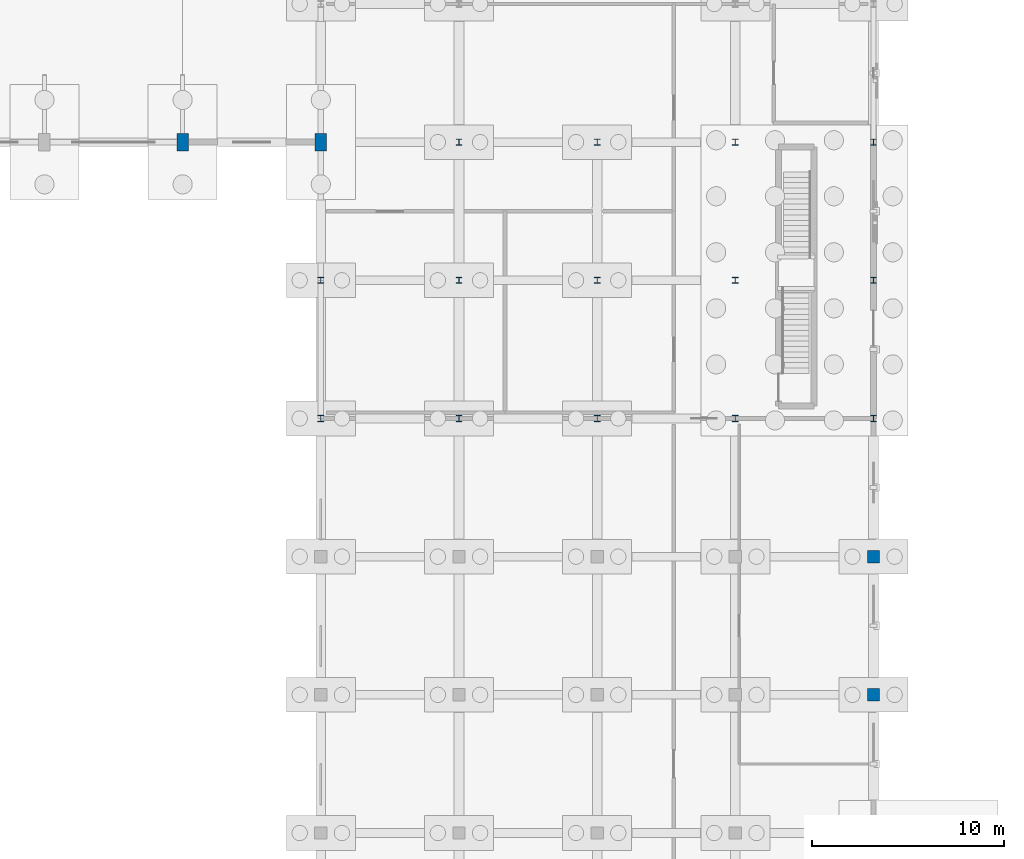
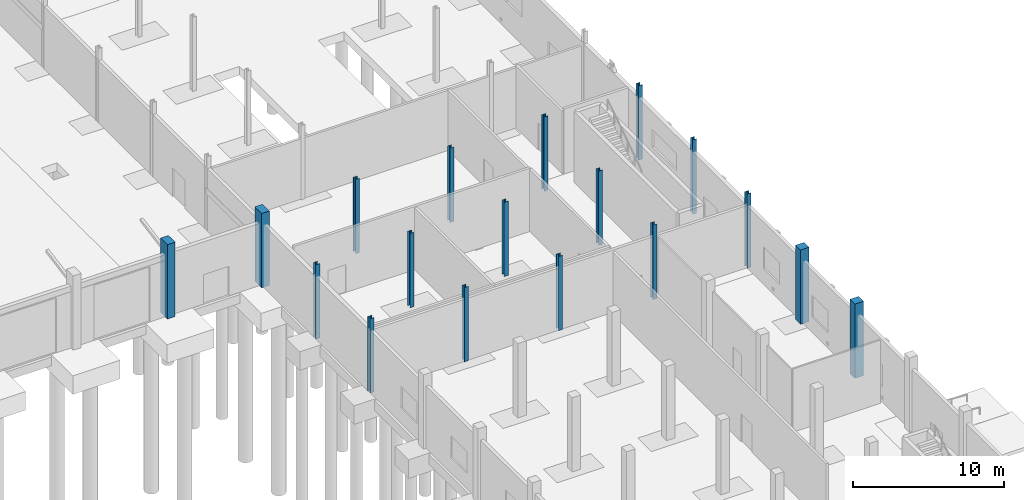
# One storey, part 12 of 45: 18 columns.
"""IFC4 building model written with IfcOpenShell, lengths in metres."""

from ifc_helpers import new_model, si_unit, direction, frame, origin, origin_2d, place, context, subcontext, project, spatial, rectangle, i_section, extrude, material, material_profile, profile_set, type_object, element, save


model = new_model("IFC4")

# Units and contexts
model_context = context("Model", 3, precision=1e-05, world=origin(), true_north=direction((0.0, 1.0)))
body_context = subcontext(model_context, "Body", "Model", "MODEL_VIEW")
ifc_project = project(units=[si_unit("LENGTHUNIT", "METRE"), si_unit("AREAUNIT", "SQUARE_METRE"), si_unit("VOLUMEUNIT", "CUBIC_METRE"), si_unit("PLANEANGLEUNIT", "RADIAN"), si_unit("MASSUNIT", "GRAM", prefix="KILO")], contexts=[model_context])

# Site, building, storey
site_placement = place(None, origin())
site = spatial("IfcSite", under=ifc_project, at=site_placement, CompositionType="ELEMENT")
building_placement = place(site_placement, origin())
building = spatial("IfcBuilding", under=site, at=building_placement, Name="Yarey Park Central Fire Station", CompositionType="ELEMENT")
storey_placement = place(building_placement, origin())
storey = spatial("IfcBuildingStorey", under=building, at=storey_placement, Name="L01", CompositionType="ELEMENT", Elevation=0.0)

# Columns
ifc_material_1 = material(Name="Concrete C40/50", Category="concrete")
ifc_material_profile_1 = material_profile(ifc_material_1, rectangle(XDim=0.64990234375, YDim=0.64990234375, at=origin_2d()), Name="RC 650x650")
ifc_profile_set_1 = profile_set([ifc_material_profile_1], Name="Concrete C40/50")
column_type_1 = type_object("IfcColumnType", Name="STR_COL_RC650_EXT", PredefinedType="COLUMN", material=ifc_profile_set_1)
for number, where, z_axis, x_axis, name in (
    (1, (165.60009765625, 28.800048828125, 0.0), (0.0, 0.0, 1.0), (1.0, 0.0, 0.0), "COL_L01_X1656_Y288"),
    (2, (165.60009765625, 36.0, 0.0), (0.0, 0.0, 1.0), (1.0, 0.0, 0.0), "COL_L01_X1656_Y360"),
):
    element("IfcColumn", number, at=place(storey_placement, frame(where, z_axis=z_axis, x_axis=x_axis)), inside=storey, type_object=column_type_1, Name=name, PredefinedType="COLUMN", context=body_context, shape_type="SweptSolid", body=[
        extrude(rectangle(XDim=0.64990234375, YDim=0.64990234375, at=origin_2d()), origin(), (0.0, 0.0, 1.0), 6.0),
    ])
ifc_material_2 = material(Name="Steel ASTM A992 Gr. 50", Category="steel")
ifc_material_profile_2 = material_profile(ifc_material_2, i_section(OverallWidth=0.30908203125, OverallDepth=0.322998046875, WebThickness=0.013916015625, FlangeThickness=0.02294921875, at=origin_2d()), Name="W310x143")
ifc_profile_set_2 = profile_set([ifc_material_profile_2], Name="Steel ASTM A992 Gr. 50")
column_type_2 = type_object("IfcColumnType", Name="STR_COL_W310_EXT", PredefinedType="COLUMN", material=ifc_profile_set_2)
for number, where, z_axis, x_axis, name in (
    (3, (136.800048828125, 43.199951171875, 0.0), (0.0, 0.0, 1.0), (1.0, 0.0, 0.0), "COL_L01_X1368_Y432"),
    (4, (136.800048828125, 50.39990234375, 0.0), (0.0, 0.0, 1.0), (1.0, 0.0, 0.0), "COL_L01_X1368_Y504"),
    (5, (144.0, 43.199951171875, 0.0), (0.0, 0.0, 1.0), (1.0, 0.0, 0.0), "COL_L01_X1440_Y432"),
    (6, (151.199951171875, 43.199951171875, 0.0), (0.0, 0.0, 1.0), (1.0, 0.0, 0.0), "COL_L01_X1512_Y432"),
    (7, (158.39990234375, 43.199951171875, 0.0), (0.0, 0.0, 1.0), (1.0, 0.0, 0.0), "COL_L01_X1584_Y432"),
    (8, (165.60009765625, 43.199951171875, 0.0), (0.0, 0.0, 1.0), (1.0, 0.0, 0.0), "COL_L01_X1656_Y432"),
    (9, (165.60009765625, 50.39990234375, 0.0), (0.0, 0.0, 1.0), (1.0, 0.0, 0.0), "COL_L01_X1656_Y504"),
    (10, (165.60009765625, 57.60009765625, 0.0), (0.0, 0.0, 1.0), (1.0, 0.0, 0.0), "COL_L01_X1656_Y576"),
):
    element("IfcColumn", number, at=place(storey_placement, frame(where, z_axis=z_axis, x_axis=x_axis)), inside=storey, type_object=column_type_2, Name=name, PredefinedType="COLUMN", context=body_context, shape_type="SweptSolid", body=[
        extrude(i_section(OverallWidth=0.30908203125, OverallDepth=0.322998046875, WebThickness=0.013916015625, FlangeThickness=0.02294921875, at=origin_2d()), origin(), (0.0, 0.0, 1.0), 6.0),
    ])
ifc_material_profile_3 = material_profile(ifc_material_2, i_section(OverallWidth=0.30908203125, OverallDepth=0.322998046875, WebThickness=0.013916015625, FlangeThickness=0.02294921875, at=origin_2d()), Name="W310x143")
ifc_profile_set_3 = profile_set([ifc_material_profile_3], Name="Steel ASTM A992 Gr. 50")
column_type_3 = type_object("IfcColumnType", Name="STR_COL_W310_INT", PredefinedType="COLUMN", material=ifc_profile_set_3)
for number, where, z_axis, x_axis, name in (
    (11, (144.0, 50.39990234375, 0.0), (0.0, 0.0, 1.0), (1.0, 0.0, 0.0), "COL_L01_X1440_Y504"),
    (12, (144.0, 57.60009765625, 0.0), (0.0, 0.0, 1.0), (1.0, 0.0, 0.0), "COL_L01_X1440_Y576"),
    (13, (151.199951171875, 50.39990234375, 0.0), (0.0, 0.0, 1.0), (1.0, 0.0, 0.0), "COL_L01_X1512_Y504"),
    (14, (151.199951171875, 57.60009765625, 0.0), (0.0, 0.0, 1.0), (1.0, 0.0, 0.0), "COL_L01_X1512_Y576"),
    (15, (158.39990234375, 50.39990234375, 0.0), (0.0, 0.0, 1.0), (1.0, 0.0, 0.0), "COL_L01_X1584_Y504"),
    (16, (158.39990234375, 57.60009765625, 0.0), (0.0, 0.0, 1.0), (1.0, 0.0, 0.0), "COL_L01_X1584_Y576"),
):
    element("IfcColumn", number, at=place(storey_placement, frame(where, z_axis=z_axis, x_axis=x_axis)), inside=storey, type_object=column_type_3, Name=name, PredefinedType="COLUMN", context=body_context, shape_type="SweptSolid", body=[
        extrude(i_section(OverallWidth=0.30908203125, OverallDepth=0.322998046875, WebThickness=0.013916015625, FlangeThickness=0.02294921875, at=origin_2d()), origin(), (0.0, 0.0, 1.0), 6.0),
    ])
ifc_material_profile_4 = material_profile(ifc_material_1, rectangle(XDim=0.60009765625, YDim=0.89990234375, at=origin_2d()), Name="RC 900x600")
ifc_profile_set_4 = profile_set([ifc_material_profile_4], Name="Concrete C40/50")
column_type_4 = type_object("IfcColumnType", Name="STR_PIER_ARCH", PredefinedType="PILASTER", material=ifc_profile_set_4)
for number, where, z_axis, x_axis, name in (
    (17, (129.60009765625, 57.60009765625, 0.0), (0.0, 0.0, 1.0), (1.0, 0.0, 0.0), "COL_L01_X1296_Y576"),
    (18, (136.800048828125, 57.60009765625, 0.0), (0.0, 0.0, 1.0), (1.0, 0.0, 0.0), "COL_L01_X1368_Y576"),
):
    element("IfcColumn", number, at=place(storey_placement, frame(where, z_axis=z_axis, x_axis=x_axis)), inside=storey, type_object=column_type_4, Name=name, PredefinedType="PILASTER", context=body_context, shape_type="SweptSolid", body=[
        extrude(rectangle(XDim=0.60009765625, YDim=0.89990234375, at=origin_2d()), origin(), (0.0, 0.0, 1.0), 6.0),
    ])

save(model, "model.ifc")
